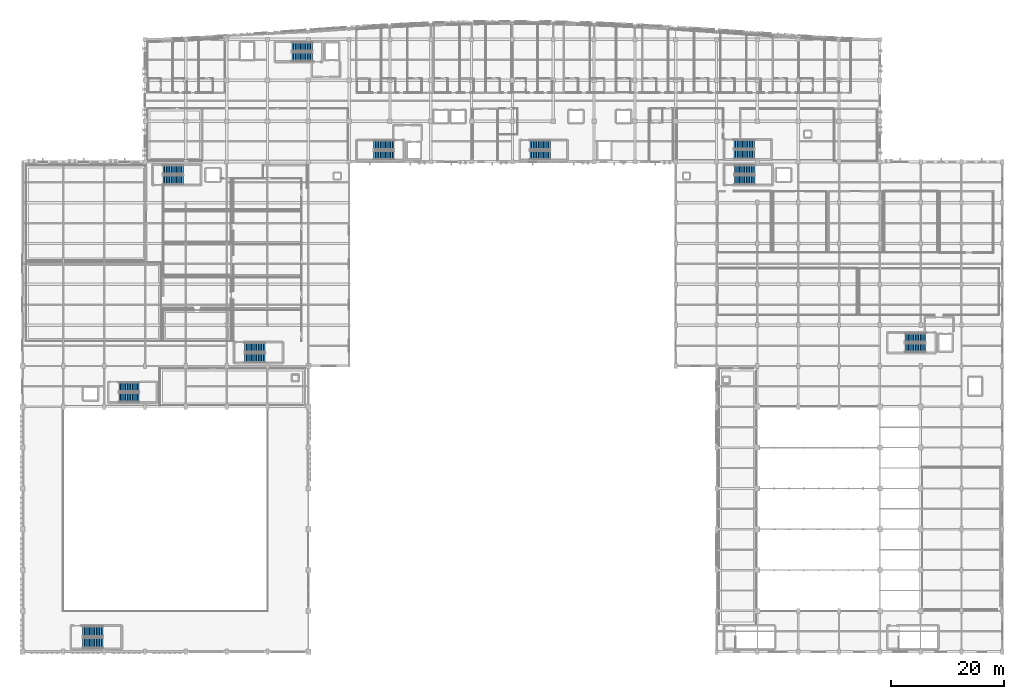
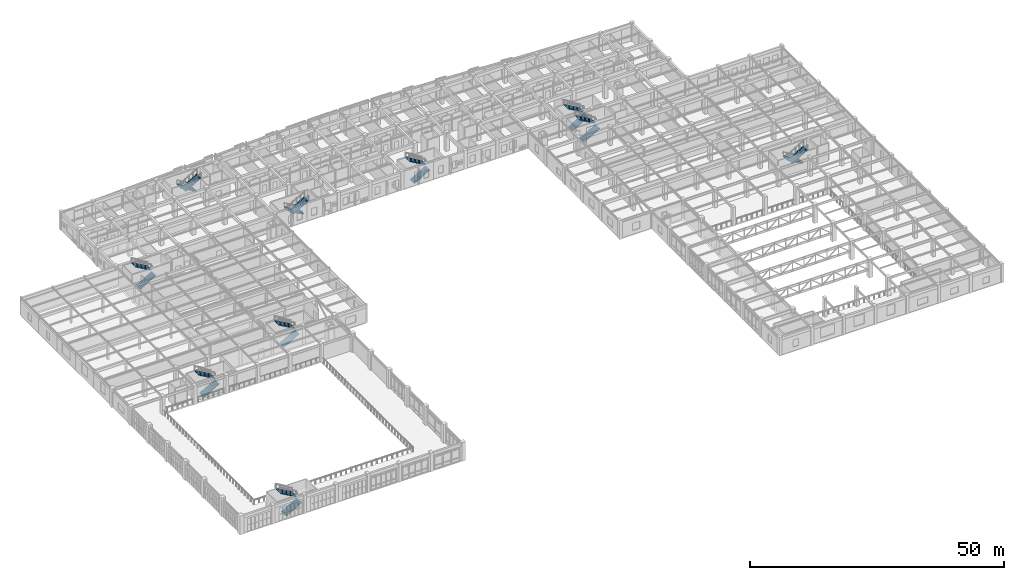
# One storey, part 90 of 106: 20 stair flights, 10 elements without a shape of their own.
"""IFC4 building model written with IfcOpenShell, lengths in metres."""

from ifc_helpers import new_model, si_unit, direction, frame, origin, place, context, subcontext, project, spatial, polyline, outline, extrude, material, type_object, element, aggregate, save


model = new_model("IFC4")

# Units and contexts
model_context = context("Model", 3, precision=1e-05, world=origin(), true_north=direction((0.0, 1.0)))
body_context = subcontext(model_context, "Body", "Model", "MODEL_VIEW")
ifc_project = project(units=[si_unit("LENGTHUNIT", "METRE"), si_unit("AREAUNIT", "SQUARE_METRE"), si_unit("VOLUMEUNIT", "CUBIC_METRE"), si_unit("PLANEANGLEUNIT", "RADIAN"), si_unit("MASSUNIT", "GRAM", prefix="KILO")], contexts=[model_context])

# Site, building, storey
site_placement = place(None, origin())
site = spatial("IfcSite", under=ifc_project, at=site_placement, CompositionType="ELEMENT")
building_placement = place(site_placement, origin())
building = spatial("IfcBuilding", under=site, at=building_placement, Name="Carrowvane Square Congress Hotel", CompositionType="ELEMENT")
storey_placement = place(building_placement, frame((0.0, 0.0, 10.5)))
storey = spatial("IfcBuildingStorey", under=building, at=storey_placement, Name="L02", CompositionType="ELEMENT", Elevation=10.5)

# Stair, stair flights
ifc_material_1 = material(Name="Concrete C35/45", Category="concrete")
stair_type_1 = type_object("IfcStairType", Name="STR-DOG-01", PredefinedType="HALF_TURN_STAIR", material=ifc_material_1)
stair_1_placement = place(storey_placement, origin())
stair_1 = element("IfcStair", 1, at=stair_1_placement, inside=storey, type_object=stair_type_1, Name="L02 Core C1 West Hotel Firefighting Stair", PredefinedType="HALF_TURN_STAIR")
ifc_material_2 = material(Name="Concrete C35/45", Category="concrete")
stair_flight_type_1 = type_object("IfcStairFlightType", Name="SFL-STR-01", PredefinedType="STRAIGHT", material=ifc_material_2)
stair_flight_1_placement = place(storey_placement, frame((62.719970703125, 112.110107421875, 0.0), z_axis=(0.0, 0.0, 1.0), x_axis=(-1.0, 0.0, 0.0)))
stair_flight_1 = element("IfcStairFlight", 2, at=stair_flight_1_placement, type_object=stair_flight_type_1, Name="ST1 flight 1", NumberOfRisers=13, NumberOfTreads=12, PredefinedType="STRAIGHT", RiserHeight=0.173076923, TreadLength=0.3, context=body_context, shape_type="SweptSolid", body=[
    extrude(outline(polyline([(0.0, 0.0), (0.0, 0.173095703125), (0.300048828125, 0.173095703125), (0.300048828125, 0.34619140625), (0.60009765625, 0.34619140625), (0.60009765625, 0.519287109375), (0.89990234375, 0.519287109375), (0.89990234375, 0.6923828125), (1.199951171875, 0.6923828125), (1.199951171875, 0.865478515625), (1.5, 0.865478515625), (1.5, 1.03857421875), (1.800048828125, 1.03857421875), (1.800048828125, 1.21142578125), (2.10009765625, 1.21142578125), (2.10009765625, 1.384521484375), (2.39990234375, 1.384521484375), (2.39990234375, 1.5576171875), (2.699951171875, 1.5576171875), (2.699951171875, 1.730712890625), (3.0, 1.730712890625), (3.0, 1.90380859375), (3.300048828125, 1.90380859375), (3.300048828125, 2.076904296875), (3.60009765625, 2.076904296875), (3.60009765625, 2.25), (3.60009765625, 1.90380859375), (0.300048828125, 0.0), (0.0, 0.0)])), frame((0.0, 0.7900390625, 0.0), z_axis=(0.0, -1.0, 0.0), x_axis=(1.0, 0.0, 0.0)), (0.0, 0.0, 1.0), 1.580078125),
])
stair_flight_2_placement = place(storey_placement, frame((59.1201171875, 110.330078125, 2.25), z_axis=(0.0, 0.0, 1.0), x_axis=(1.0, 0.0, 0.0)))
stair_flight_2 = element("IfcStairFlight", 3, at=stair_flight_2_placement, type_object=stair_flight_type_1, Name="ST1 flight 2", NumberOfRisers=13, NumberOfTreads=12, PredefinedType="STRAIGHT", RiserHeight=0.173076923, TreadLength=0.3, context=body_context, shape_type="SweptSolid", body=[
    extrude(outline(polyline([(0.0, 0.0), (0.0, 0.173095703125), (0.300048828125, 0.173095703125), (0.300048828125, 0.34619140625), (0.60009765625, 0.34619140625), (0.60009765625, 0.519287109375), (0.89990234375, 0.519287109375), (0.89990234375, 0.6923828125), (1.199951171875, 0.6923828125), (1.199951171875, 0.865478515625), (1.5, 0.865478515625), (1.5, 1.03857421875), (1.800048828125, 1.03857421875), (1.800048828125, 1.21142578125), (2.10009765625, 1.21142578125), (2.10009765625, 1.384521484375), (2.39990234375, 1.384521484375), (2.39990234375, 1.5576171875), (2.699951171875, 1.5576171875), (2.699951171875, 1.730712890625), (3.0, 1.730712890625), (3.0, 1.90380859375), (3.300048828125, 1.90380859375), (3.300048828125, 2.076904296875), (3.60009765625, 2.076904296875), (3.60009765625, 2.25), (3.60009765625, 1.90380859375), (0.300048828125, 0.0), (0.0, 0.0)])), frame((0.0, 0.7900390625, 0.0), z_axis=(0.0, -1.0, 0.0), x_axis=(1.0, 0.0, 0.0)), (0.0, 0.0, 1.0), 1.580078125),
])
aggregate(stair_1, [stair_flight_1, stair_flight_2])

stair_2_placement = place(storey_placement, origin())
stair_2 = element("IfcStair", 4, at=stair_2_placement, inside=storey, type_object=stair_type_1, Name="L02 Core C2 Central Hotel Firefighting Stair", PredefinedType="HALF_TURN_STAIR")
stair_flight_3_placement = place(storey_placement, frame((77.1201171875, 94.77001953125, 0.0), z_axis=(0.0, 0.0, 1.0), x_axis=(-1.0, 0.0, 0.0)))
stair_flight_3 = element("IfcStairFlight", 5, at=stair_flight_3_placement, type_object=stair_flight_type_1, Name="ST2 flight 1", NumberOfRisers=13, NumberOfTreads=12, PredefinedType="STRAIGHT", RiserHeight=0.173076923, TreadLength=0.3, context=body_context, shape_type="SweptSolid", body=[
    extrude(outline(polyline([(0.0, 0.0), (0.0, 0.173095703125), (0.300048828125, 0.173095703125), (0.300048828125, 0.34619140625), (0.60009765625, 0.34619140625), (0.60009765625, 0.519287109375), (0.89990234375, 0.519287109375), (0.89990234375, 0.6923828125), (1.199951171875, 0.6923828125), (1.199951171875, 0.865478515625), (1.5, 0.865478515625), (1.5, 1.03857421875), (1.800048828125, 1.03857421875), (1.800048828125, 1.21142578125), (2.10009765625, 1.21142578125), (2.10009765625, 1.384521484375), (2.39990234375, 1.384521484375), (2.39990234375, 1.5576171875), (2.699951171875, 1.5576171875), (2.699951171875, 1.730712890625), (3.0, 1.730712890625), (3.0, 1.90380859375), (3.300048828125, 1.90380859375), (3.300048828125, 2.076904296875), (3.60009765625, 2.076904296875), (3.60009765625, 2.25), (3.60009765625, 1.90380859375), (0.300048828125, 0.0), (0.0, 0.0)])), frame((0.0, 0.7900390625, 0.0), z_axis=(0.0, -1.0, 0.0), x_axis=(1.0, 0.0, 0.0)), (0.0, 0.0, 1.0), 1.580078125),
])
stair_flight_4_placement = place(storey_placement, frame((73.52001953125, 92.989990234375, 2.25), z_axis=(0.0, 0.0, 1.0), x_axis=(1.0, 0.0, 0.0)))
stair_flight_4 = element("IfcStairFlight", 6, at=stair_flight_4_placement, type_object=stair_flight_type_1, Name="ST2 flight 2", NumberOfRisers=13, NumberOfTreads=12, PredefinedType="STRAIGHT", RiserHeight=0.173076923, TreadLength=0.3, context=body_context, shape_type="SweptSolid", body=[
    extrude(outline(polyline([(0.0, 0.0), (0.0, 0.173095703125), (0.300048828125, 0.173095703125), (0.300048828125, 0.34619140625), (0.60009765625, 0.34619140625), (0.60009765625, 0.519287109375), (0.89990234375, 0.519287109375), (0.89990234375, 0.6923828125), (1.199951171875, 0.6923828125), (1.199951171875, 0.865478515625), (1.5, 0.865478515625), (1.5, 1.03857421875), (1.800048828125, 1.03857421875), (1.800048828125, 1.21142578125), (2.10009765625, 1.21142578125), (2.10009765625, 1.384521484375), (2.39990234375, 1.384521484375), (2.39990234375, 1.5576171875), (2.699951171875, 1.5576171875), (2.699951171875, 1.730712890625), (3.0, 1.730712890625), (3.0, 1.90380859375), (3.300048828125, 1.90380859375), (3.300048828125, 2.076904296875), (3.60009765625, 2.076904296875), (3.60009765625, 2.25), (3.60009765625, 1.90380859375), (0.300048828125, 0.0), (0.0, 0.0)])), frame((0.0, 0.7900390625, 0.0), z_axis=(0.0, -1.0, 0.0), x_axis=(1.0, 0.0, 0.0)), (0.0, 0.0, 1.0), 1.580078125),
])
aggregate(stair_2, [stair_flight_3, stair_flight_4])

stair_3_placement = place(storey_placement, origin())
stair_3 = element("IfcStair", 7, at=stair_3_placement, inside=storey, type_object=stair_type_1, Name="L02 Core C3 East Hotel Escape Stair", PredefinedType="HALF_TURN_STAIR")
stair_flight_5_placement = place(storey_placement, frame((101.080078125, 92.989990234375, 0.0), z_axis=(0.0, 0.0, 1.0), x_axis=(1.0, 0.0, 0.0)))
stair_flight_5 = element("IfcStairFlight", 8, at=stair_flight_5_placement, type_object=stair_flight_type_1, Name="ST3 flight 1", NumberOfRisers=13, NumberOfTreads=12, PredefinedType="STRAIGHT", RiserHeight=0.173076923, TreadLength=0.3, context=body_context, shape_type="SweptSolid", body=[
    extrude(outline(polyline([(0.0, 0.0), (0.0, 0.173095703125), (0.300048828125, 0.173095703125), (0.300048828125, 0.34619140625), (0.60009765625, 0.34619140625), (0.60009765625, 0.519287109375), (0.89990234375, 0.519287109375), (0.89990234375, 0.6923828125), (1.199951171875, 0.6923828125), (1.199951171875, 0.865478515625), (1.5, 0.865478515625), (1.5, 1.03857421875), (1.800048828125, 1.03857421875), (1.800048828125, 1.21142578125), (2.10009765625, 1.21142578125), (2.10009765625, 1.384521484375), (2.39990234375, 1.384521484375), (2.39990234375, 1.5576171875), (2.699951171875, 1.5576171875), (2.699951171875, 1.730712890625), (3.0, 1.730712890625), (3.0, 1.90380859375), (3.300048828125, 1.90380859375), (3.300048828125, 2.076904296875), (3.60009765625, 2.076904296875), (3.60009765625, 2.25), (3.60009765625, 1.90380859375), (0.300048828125, 0.0), (0.0, 0.0)])), frame((0.0, 0.7900390625, 0.0), z_axis=(0.0, -1.0, 0.0), x_axis=(1.0, 0.0, 0.0)), (0.0, 0.0, 1.0), 1.580078125),
])
stair_flight_6_placement = place(storey_placement, frame((104.679931640625, 94.77001953125, 2.25), z_axis=(0.0, 0.0, 1.0), x_axis=(-1.0, 0.0, 0.0)))
stair_flight_6 = element("IfcStairFlight", 9, at=stair_flight_6_placement, type_object=stair_flight_type_1, Name="ST3 flight 2", NumberOfRisers=13, NumberOfTreads=12, PredefinedType="STRAIGHT", RiserHeight=0.173076923, TreadLength=0.3, context=body_context, shape_type="SweptSolid", body=[
    extrude(outline(polyline([(0.0, 0.0), (0.0, 0.173095703125), (0.300048828125, 0.173095703125), (0.300048828125, 0.34619140625), (0.60009765625, 0.34619140625), (0.60009765625, 0.519287109375), (0.89990234375, 0.519287109375), (0.89990234375, 0.6923828125), (1.199951171875, 0.6923828125), (1.199951171875, 0.865478515625), (1.5, 0.865478515625), (1.5, 1.03857421875), (1.800048828125, 1.03857421875), (1.800048828125, 1.21142578125), (2.10009765625, 1.21142578125), (2.10009765625, 1.384521484375), (2.39990234375, 1.384521484375), (2.39990234375, 1.5576171875), (2.699951171875, 1.5576171875), (2.699951171875, 1.730712890625), (3.0, 1.730712890625), (3.0, 1.90380859375), (3.300048828125, 1.90380859375), (3.300048828125, 2.076904296875), (3.60009765625, 2.076904296875), (3.60009765625, 2.25), (3.60009765625, 1.90380859375), (0.300048828125, 0.0), (0.0, 0.0)])), frame((0.0, 0.7900390625, 0.0), z_axis=(0.0, -1.0, 0.0), x_axis=(1.0, 0.0, 0.0)), (0.0, 0.0, 1.0), 1.580078125),
])
aggregate(stair_3, [stair_flight_5, stair_flight_6])

stair_4_placement = place(storey_placement, origin())
stair_4 = element("IfcStair", 10, at=stair_4_placement, inside=storey, type_object=stair_type_1, Name="L02 East Hotel Wing Escape Stair", PredefinedType="HALF_TURN_STAIR")
stair_flight_7_placement = place(storey_placement, frame((137.080078125, 93.090087890625, 0.0), z_axis=(0.0, 0.0, 1.0), x_axis=(1.0, 0.0, 0.0)))
stair_flight_7 = element("IfcStairFlight", 11, at=stair_flight_7_placement, type_object=stair_flight_type_1, Name="ST12 flight 1", NumberOfRisers=13, NumberOfTreads=12, PredefinedType="STRAIGHT", RiserHeight=0.173076923, TreadLength=0.3, context=body_context, shape_type="SweptSolid", body=[
    extrude(outline(polyline([(0.0, 0.0), (0.0, 0.173095703125), (0.300048828125, 0.173095703125), (0.300048828125, 0.34619140625), (0.60009765625, 0.34619140625), (0.60009765625, 0.519287109375), (0.89990234375, 0.519287109375), (0.89990234375, 0.6923828125), (1.199951171875, 0.6923828125), (1.199951171875, 0.865478515625), (1.5, 0.865478515625), (1.5, 1.03857421875), (1.800048828125, 1.03857421875), (1.800048828125, 1.21142578125), (2.10009765625, 1.21142578125), (2.10009765625, 1.384521484375), (2.39990234375, 1.384521484375), (2.39990234375, 1.5576171875), (2.699951171875, 1.5576171875), (2.699951171875, 1.730712890625), (3.0, 1.730712890625), (3.0, 1.90380859375), (3.300048828125, 1.90380859375), (3.300048828125, 2.076904296875), (3.60009765625, 2.076904296875), (3.60009765625, 2.25), (3.60009765625, 1.90380859375), (0.300048828125, 0.0), (0.0, 0.0)])), frame((0.0, 0.7900390625, 0.0), z_axis=(0.0, -1.0, 0.0), x_axis=(1.0, 0.0, 0.0)), (0.0, 0.0, 1.0), 1.580078125),
])
stair_flight_8_placement = place(storey_placement, frame((140.679931640625, 94.8701171875, 2.25), z_axis=(0.0, 0.0, 1.0), x_axis=(-1.0, 0.0, 0.0)))
stair_flight_8 = element("IfcStairFlight", 12, at=stair_flight_8_placement, type_object=stair_flight_type_1, Name="ST12 flight 2", NumberOfRisers=13, NumberOfTreads=12, PredefinedType="STRAIGHT", RiserHeight=0.173076923, TreadLength=0.3, context=body_context, shape_type="SweptSolid", body=[
    extrude(outline(polyline([(0.0, 0.0), (0.0, 0.173095703125), (0.300048828125, 0.173095703125), (0.300048828125, 0.34619140625), (0.60009765625, 0.34619140625), (0.60009765625, 0.519287109375), (0.89990234375, 0.519287109375), (0.89990234375, 0.6923828125), (1.199951171875, 0.6923828125), (1.199951171875, 0.865478515625), (1.5, 0.865478515625), (1.5, 1.03857421875), (1.800048828125, 1.03857421875), (1.800048828125, 1.21142578125), (2.10009765625, 1.21142578125), (2.10009765625, 1.384521484375), (2.39990234375, 1.384521484375), (2.39990234375, 1.5576171875), (2.699951171875, 1.5576171875), (2.699951171875, 1.730712890625), (3.0, 1.730712890625), (3.0, 1.90380859375), (3.300048828125, 1.90380859375), (3.300048828125, 2.076904296875), (3.60009765625, 2.076904296875), (3.60009765625, 2.25), (3.60009765625, 1.90380859375), (0.300048828125, 0.0), (0.0, 0.0)])), frame((0.0, 0.7900390625, 0.0), z_axis=(0.0, -1.0, 0.0), x_axis=(1.0, 0.0, 0.0)), (0.0, 0.0, 1.0), 1.580078125),
])
aggregate(stair_4, [stair_flight_7, stair_flight_8])

ifc_material_3 = material(Name="Concrete C35/45", Category="concrete")
stair_type_2 = type_object("IfcStairType", Name="STR-DOG-05", PredefinedType="HALF_TURN_STAIR", material=ifc_material_3)
stair_5_placement = place(storey_placement, origin())
stair_5 = element("IfcStair", 13, at=stair_5_placement, inside=storey, type_object=stair_type_2, Name="L02 Core C4 East Congress Firefighting Stair", PredefinedType="HALF_TURN_STAIR")
ifc_material_4 = material(Name="Concrete C35/45", Category="concrete")
stair_flight_type_2 = type_object("IfcStairFlightType", Name="SFL-STR-05", PredefinedType="STRAIGHT", material=ifc_material_4)
stair_flight_9_placement = place(storey_placement, frame((170.85009765625, 60.800048828125, 0.0), z_axis=(0.0, 0.0, 1.0), x_axis=(-1.0, 0.0, 0.0)))
stair_flight_9 = element("IfcStairFlight", 14, at=stair_flight_9_placement, type_object=stair_flight_type_2, Name="ST4 flight 1", NumberOfRisers=13, NumberOfTreads=12, PredefinedType="STRAIGHT", RiserHeight=0.173076923, TreadLength=0.3, context=body_context, shape_type="SweptSolid", body=[
    extrude(outline(polyline([(0.0, 0.0), (0.0, 0.173095703125), (0.300048828125, 0.173095703125), (0.300048828125, 0.34619140625), (0.60009765625, 0.34619140625), (0.60009765625, 0.519287109375), (0.89990234375, 0.519287109375), (0.89990234375, 0.6923828125), (1.199951171875, 0.6923828125), (1.199951171875, 0.865478515625), (1.5, 0.865478515625), (1.5, 1.03857421875), (1.800048828125, 1.03857421875), (1.800048828125, 1.21142578125), (2.10009765625, 1.21142578125), (2.10009765625, 1.384521484375), (2.39990234375, 1.384521484375), (2.39990234375, 1.5576171875), (2.699951171875, 1.5576171875), (2.699951171875, 1.730712890625), (3.0, 1.730712890625), (3.0, 1.90380859375), (3.300048828125, 1.90380859375), (3.300048828125, 2.076904296875), (3.60009765625, 2.076904296875), (3.60009765625, 2.25), (3.60009765625, 1.90380859375), (0.300048828125, 0.0), (0.0, 0.0)])), frame((0.0, 0.800048828125, 0.0), z_axis=(0.0, -1.0, 0.0), x_axis=(1.0, 0.0, 0.0)), (0.0, 0.0, 1.0), 1.60009765625),
])
stair_flight_10_placement = place(storey_placement, frame((167.25, 59.0, 2.25), z_axis=(0.0, 0.0, 1.0), x_axis=(1.0, 0.0, 0.0)))
stair_flight_10 = element("IfcStairFlight", 15, at=stair_flight_10_placement, type_object=stair_flight_type_2, Name="ST4 flight 2", NumberOfRisers=13, NumberOfTreads=12, PredefinedType="STRAIGHT", RiserHeight=0.173076923, TreadLength=0.3, context=body_context, shape_type="SweptSolid", body=[
    extrude(outline(polyline([(0.0, 0.0), (0.0, 0.173095703125), (0.300048828125, 0.173095703125), (0.300048828125, 0.34619140625), (0.60009765625, 0.34619140625), (0.60009765625, 0.519287109375), (0.89990234375, 0.519287109375), (0.89990234375, 0.6923828125), (1.199951171875, 0.6923828125), (1.199951171875, 0.865478515625), (1.5, 0.865478515625), (1.5, 1.03857421875), (1.800048828125, 1.03857421875), (1.800048828125, 1.21142578125), (2.10009765625, 1.21142578125), (2.10009765625, 1.384521484375), (2.39990234375, 1.384521484375), (2.39990234375, 1.5576171875), (2.699951171875, 1.5576171875), (2.699951171875, 1.730712890625), (3.0, 1.730712890625), (3.0, 1.90380859375), (3.300048828125, 1.90380859375), (3.300048828125, 2.076904296875), (3.60009765625, 2.076904296875), (3.60009765625, 2.25), (3.60009765625, 1.90380859375), (0.300048828125, 0.0), (0.0, 0.0)])), frame((0.0, 0.800048828125, 0.0), z_axis=(0.0, -1.0, 0.0), x_axis=(1.0, 0.0, 0.0)), (0.0, 0.0, 1.0), 1.60009765625),
])
aggregate(stair_5, [stair_flight_9, stair_flight_10])

stair_6_placement = place(storey_placement, origin())
stair_6 = element("IfcStair", 16, at=stair_6_placement, inside=storey, type_object=stair_type_2, Name="L02 Core C5 West Spa Escape Stair", PredefinedType="HALF_TURN_STAIR")
stair_flight_11_placement = place(storey_placement, frame((36.35009765625, 88.60009765625, 0.0), z_axis=(0.0, 0.0, 1.0), x_axis=(1.0, 0.0, 0.0)))
stair_flight_11 = element("IfcStairFlight", 17, at=stair_flight_11_placement, type_object=stair_flight_type_2, Name="ST5 flight 1", NumberOfRisers=13, NumberOfTreads=12, PredefinedType="STRAIGHT", RiserHeight=0.173076923, TreadLength=0.3, context=body_context, shape_type="SweptSolid", body=[
    extrude(outline(polyline([(0.0, 0.0), (0.0, 0.173095703125), (0.300048828125, 0.173095703125), (0.300048828125, 0.34619140625), (0.60009765625, 0.34619140625), (0.60009765625, 0.519287109375), (0.89990234375, 0.519287109375), (0.89990234375, 0.6923828125), (1.199951171875, 0.6923828125), (1.199951171875, 0.865478515625), (1.5, 0.865478515625), (1.5, 1.03857421875), (1.800048828125, 1.03857421875), (1.800048828125, 1.21142578125), (2.10009765625, 1.21142578125), (2.10009765625, 1.384521484375), (2.39990234375, 1.384521484375), (2.39990234375, 1.5576171875), (2.699951171875, 1.5576171875), (2.699951171875, 1.730712890625), (3.0, 1.730712890625), (3.0, 1.90380859375), (3.300048828125, 1.90380859375), (3.300048828125, 2.076904296875), (3.60009765625, 2.076904296875), (3.60009765625, 2.25), (3.60009765625, 1.90380859375), (0.300048828125, 0.0), (0.0, 0.0)])), frame((0.0, 0.800048828125, 0.0), z_axis=(0.0, -1.0, 0.0), x_axis=(1.0, 0.0, 0.0)), (0.0, 0.0, 1.0), 1.60009765625),
])
stair_flight_12_placement = place(storey_placement, frame((39.949951171875, 90.39990234375, 2.25), z_axis=(0.0, 0.0, 1.0), x_axis=(-1.0, 0.0, 0.0)))
stair_flight_12 = element("IfcStairFlight", 18, at=stair_flight_12_placement, type_object=stair_flight_type_2, Name="ST5 flight 2", NumberOfRisers=13, NumberOfTreads=12, PredefinedType="STRAIGHT", RiserHeight=0.173076923, TreadLength=0.3, context=body_context, shape_type="SweptSolid", body=[
    extrude(outline(polyline([(0.0, 0.0), (0.0, 0.173095703125), (0.300048828125, 0.173095703125), (0.300048828125, 0.34619140625), (0.60009765625, 0.34619140625), (0.60009765625, 0.519287109375), (0.89990234375, 0.519287109375), (0.89990234375, 0.6923828125), (1.199951171875, 0.6923828125), (1.199951171875, 0.865478515625), (1.5, 0.865478515625), (1.5, 1.03857421875), (1.800048828125, 1.03857421875), (1.800048828125, 1.21142578125), (2.10009765625, 1.21142578125), (2.10009765625, 1.384521484375), (2.39990234375, 1.384521484375), (2.39990234375, 1.5576171875), (2.699951171875, 1.5576171875), (2.699951171875, 1.730712890625), (3.0, 1.730712890625), (3.0, 1.90380859375), (3.300048828125, 1.90380859375), (3.300048828125, 2.076904296875), (3.60009765625, 2.076904296875), (3.60009765625, 2.25), (3.60009765625, 1.90380859375), (0.300048828125, 0.0), (0.0, 0.0)])), frame((0.0, 0.800048828125, 0.0), z_axis=(0.0, -1.0, 0.0), x_axis=(1.0, 0.0, 0.0)), (0.0, 0.0, 1.0), 1.60009765625),
])
aggregate(stair_6, [stair_flight_11, stair_flight_12])

stair_7_placement = place(storey_placement, origin())
stair_7 = element("IfcStair", 19, at=stair_7_placement, inside=storey, type_object=stair_type_2, Name="L02 Meeting Wing Escape Stair", PredefinedType="HALF_TURN_STAIR")
stair_flight_13_placement = place(storey_placement, frame((137.14990234375, 88.60009765625, 0.0), z_axis=(0.0, 0.0, 1.0), x_axis=(1.0, 0.0, 0.0)))
stair_flight_13 = element("IfcStairFlight", 20, at=stair_flight_13_placement, type_object=stair_flight_type_2, Name="ST8 flight 1", NumberOfRisers=13, NumberOfTreads=12, PredefinedType="STRAIGHT", RiserHeight=0.173076923, TreadLength=0.3, context=body_context, shape_type="SweptSolid", body=[
    extrude(outline(polyline([(0.0, 0.0), (0.0, 0.173095703125), (0.300048828125, 0.173095703125), (0.300048828125, 0.34619140625), (0.60009765625, 0.34619140625), (0.60009765625, 0.519287109375), (0.89990234375, 0.519287109375), (0.89990234375, 0.6923828125), (1.199951171875, 0.6923828125), (1.199951171875, 0.865478515625), (1.5, 0.865478515625), (1.5, 1.03857421875), (1.800048828125, 1.03857421875), (1.800048828125, 1.21142578125), (2.10009765625, 1.21142578125), (2.10009765625, 1.384521484375), (2.39990234375, 1.384521484375), (2.39990234375, 1.5576171875), (2.699951171875, 1.5576171875), (2.699951171875, 1.730712890625), (3.0, 1.730712890625), (3.0, 1.90380859375), (3.300048828125, 1.90380859375), (3.300048828125, 2.076904296875), (3.60009765625, 2.076904296875), (3.60009765625, 2.25), (3.60009765625, 1.90380859375), (0.300048828125, 0.0), (0.0, 0.0)])), frame((0.0, 0.800048828125, 0.0), z_axis=(0.0, -1.0, 0.0), x_axis=(1.0, 0.0, 0.0)), (0.0, 0.0, 1.0), 1.60009765625),
])
stair_flight_14_placement = place(storey_placement, frame((140.75, 90.39990234375, 2.25), z_axis=(0.0, 0.0, 1.0), x_axis=(-1.0, 0.0, 0.0)))
stair_flight_14 = element("IfcStairFlight", 21, at=stair_flight_14_placement, type_object=stair_flight_type_2, Name="ST8 flight 2", NumberOfRisers=13, NumberOfTreads=12, PredefinedType="STRAIGHT", RiserHeight=0.173076923, TreadLength=0.3, context=body_context, shape_type="SweptSolid", body=[
    extrude(outline(polyline([(0.0, 0.0), (0.0, 0.173095703125), (0.300048828125, 0.173095703125), (0.300048828125, 0.34619140625), (0.60009765625, 0.34619140625), (0.60009765625, 0.519287109375), (0.89990234375, 0.519287109375), (0.89990234375, 0.6923828125), (1.199951171875, 0.6923828125), (1.199951171875, 0.865478515625), (1.5, 0.865478515625), (1.5, 1.03857421875), (1.800048828125, 1.03857421875), (1.800048828125, 1.21142578125), (2.10009765625, 1.21142578125), (2.10009765625, 1.384521484375), (2.39990234375, 1.384521484375), (2.39990234375, 1.5576171875), (2.699951171875, 1.5576171875), (2.699951171875, 1.730712890625), (3.0, 1.730712890625), (3.0, 1.90380859375), (3.300048828125, 1.90380859375), (3.300048828125, 2.076904296875), (3.60009765625, 2.076904296875), (3.60009765625, 2.25), (3.60009765625, 1.90380859375), (0.300048828125, 0.0), (0.0, 0.0)])), frame((0.0, 0.800048828125, 0.0), z_axis=(0.0, -1.0, 0.0), x_axis=(1.0, 0.0, 0.0)), (0.0, 0.0, 1.0), 1.60009765625),
])
aggregate(stair_7, [stair_flight_13, stair_flight_14])

ifc_material_5 = material(Name="Concrete C35/45", Category="concrete")
stair_type_3 = type_object("IfcStairType", Name="STR-DOG-11", PredefinedType="HALF_TURN_STAIR", material=ifc_material_5)
stair_8_placement = place(storey_placement, origin())
stair_8 = element("IfcStair", 22, at=stair_8_placement, inside=storey, type_object=stair_type_3, Name="L02 Plenary North-West Escape Stair", PredefinedType="HALF_TURN_STAIR")
ifc_material_6 = material(Name="Concrete C35/45", Category="concrete")
stair_flight_type_3 = type_object("IfcStairFlightType", Name="SFL-STR-11", PredefinedType="STRAIGHT", material=ifc_material_6)
stair_flight_15_placement = place(storey_placement, frame((28.580078125, 50.22998046875, 0.0), z_axis=(0.0, 0.0, 1.0), x_axis=(1.0, 0.0, 0.0)))
stair_flight_15 = element("IfcStairFlight", 23, at=stair_flight_15_placement, type_object=stair_flight_type_3, Name="ST6 flight 1", NumberOfRisers=13, NumberOfTreads=12, PredefinedType="STRAIGHT", RiserHeight=0.173076923, TreadLength=0.3, context=body_context, shape_type="SweptSolid", body=[
    extrude(outline(polyline([(0.0, 0.0), (0.0, 0.173095703125), (0.300048828125, 0.173095703125), (0.300048828125, 0.34619140625), (0.60009765625, 0.34619140625), (0.60009765625, 0.519287109375), (0.89990234375, 0.519287109375), (0.89990234375, 0.6923828125), (1.199951171875, 0.6923828125), (1.199951171875, 0.865478515625), (1.5, 0.865478515625), (1.5, 1.03857421875), (1.800048828125, 1.03857421875), (1.800048828125, 1.21142578125), (2.10009765625, 1.21142578125), (2.10009765625, 1.384521484375), (2.39990234375, 1.384521484375), (2.39990234375, 1.5576171875), (2.699951171875, 1.5576171875), (2.699951171875, 1.730712890625), (3.0, 1.730712890625), (3.0, 1.90380859375), (3.300048828125, 1.90380859375), (3.300048828125, 2.076904296875), (3.60009765625, 2.076904296875), (3.60009765625, 2.25), (3.60009765625, 1.90380859375), (0.300048828125, 0.0), (0.0, 0.0)])), frame((0.0, 0.830078125, 0.0), z_axis=(0.0, -1.0, 0.0), x_axis=(1.0, 0.0, 0.0)), (0.0, 0.0, 1.0), 1.659912109375),
])
stair_flight_16_placement = place(storey_placement, frame((32.179931640625, 52.090087890625, 2.25), z_axis=(0.0, 0.0, 1.0), x_axis=(-1.0, 0.0, 0.0)))
stair_flight_16 = element("IfcStairFlight", 24, at=stair_flight_16_placement, type_object=stair_flight_type_3, Name="ST6 flight 2", NumberOfRisers=13, NumberOfTreads=12, PredefinedType="STRAIGHT", RiserHeight=0.173076923, TreadLength=0.3, context=body_context, shape_type="SweptSolid", body=[
    extrude(outline(polyline([(0.0, 0.0), (0.0, 0.173095703125), (0.300048828125, 0.173095703125), (0.300048828125, 0.34619140625), (0.60009765625, 0.34619140625), (0.60009765625, 0.519287109375), (0.89990234375, 0.519287109375), (0.89990234375, 0.6923828125), (1.199951171875, 0.6923828125), (1.199951171875, 0.865478515625), (1.5, 0.865478515625), (1.5, 1.03857421875), (1.800048828125, 1.03857421875), (1.800048828125, 1.21142578125), (2.10009765625, 1.21142578125), (2.10009765625, 1.384521484375), (2.39990234375, 1.384521484375), (2.39990234375, 1.5576171875), (2.699951171875, 1.5576171875), (2.699951171875, 1.730712890625), (3.0, 1.730712890625), (3.0, 1.90380859375), (3.300048828125, 1.90380859375), (3.300048828125, 2.076904296875), (3.60009765625, 2.076904296875), (3.60009765625, 2.25), (3.60009765625, 1.90380859375), (0.300048828125, 0.0), (0.0, 0.0)])), frame((0.0, 0.830078125, 0.0), z_axis=(0.0, -1.0, 0.0), x_axis=(1.0, 0.0, 0.0)), (0.0, 0.0, 1.0), 1.659912109375),
])
aggregate(stair_8, [stair_flight_15, stair_flight_16])

stair_9_placement = place(storey_placement, origin())
stair_9 = element("IfcStair", 25, at=stair_9_placement, inside=storey, type_object=stair_type_3, Name="L02 Spa Courtyard Escape Stair", PredefinedType="HALF_TURN_STAIR")
stair_flight_17_placement = place(storey_placement, frame((50.780029296875, 57.22998046875, 0.0), z_axis=(0.0, 0.0, 1.0), x_axis=(1.0, 0.0, 0.0)))
stair_flight_17 = element("IfcStairFlight", 26, at=stair_flight_17_placement, type_object=stair_flight_type_3, Name="ST7 flight 1", NumberOfRisers=13, NumberOfTreads=12, PredefinedType="STRAIGHT", RiserHeight=0.173076923, TreadLength=0.3, context=body_context, shape_type="SweptSolid", body=[
    extrude(outline(polyline([(0.0, 0.0), (0.0, 0.173095703125), (0.300048828125, 0.173095703125), (0.300048828125, 0.34619140625), (0.60009765625, 0.34619140625), (0.60009765625, 0.519287109375), (0.89990234375, 0.519287109375), (0.89990234375, 0.6923828125), (1.199951171875, 0.6923828125), (1.199951171875, 0.865478515625), (1.5, 0.865478515625), (1.5, 1.03857421875), (1.800048828125, 1.03857421875), (1.800048828125, 1.21142578125), (2.10009765625, 1.21142578125), (2.10009765625, 1.384521484375), (2.39990234375, 1.384521484375), (2.39990234375, 1.5576171875), (2.699951171875, 1.5576171875), (2.699951171875, 1.730712890625), (3.0, 1.730712890625), (3.0, 1.90380859375), (3.300048828125, 1.90380859375), (3.300048828125, 2.076904296875), (3.60009765625, 2.076904296875), (3.60009765625, 2.25), (3.60009765625, 1.90380859375), (0.300048828125, 0.0), (0.0, 0.0)])), frame((0.0, 0.830078125, 0.0), z_axis=(0.0, -1.0, 0.0), x_axis=(1.0, 0.0, 0.0)), (0.0, 0.0, 1.0), 1.659912109375),
])
stair_flight_18_placement = place(storey_placement, frame((54.3798828125, 59.090087890625, 2.25), z_axis=(0.0, 0.0, 1.0), x_axis=(-1.0, 0.0, 0.0)))
stair_flight_18 = element("IfcStairFlight", 27, at=stair_flight_18_placement, type_object=stair_flight_type_3, Name="ST7 flight 2", NumberOfRisers=13, NumberOfTreads=12, PredefinedType="STRAIGHT", RiserHeight=0.173076923, TreadLength=0.3, context=body_context, shape_type="SweptSolid", body=[
    extrude(outline(polyline([(0.0, 0.0), (0.0, 0.173095703125), (0.300048828125, 0.173095703125), (0.300048828125, 0.34619140625), (0.60009765625, 0.34619140625), (0.60009765625, 0.519287109375), (0.89990234375, 0.519287109375), (0.89990234375, 0.6923828125), (1.199951171875, 0.6923828125), (1.199951171875, 0.865478515625), (1.5, 0.865478515625), (1.5, 1.03857421875), (1.800048828125, 1.03857421875), (1.800048828125, 1.21142578125), (2.10009765625, 1.21142578125), (2.10009765625, 1.384521484375), (2.39990234375, 1.384521484375), (2.39990234375, 1.5576171875), (2.699951171875, 1.5576171875), (2.699951171875, 1.730712890625), (3.0, 1.730712890625), (3.0, 1.90380859375), (3.300048828125, 1.90380859375), (3.300048828125, 2.076904296875), (3.60009765625, 2.076904296875), (3.60009765625, 2.25), (3.60009765625, 1.90380859375), (0.300048828125, 0.0), (0.0, 0.0)])), frame((0.0, 0.830078125, 0.0), z_axis=(0.0, -1.0, 0.0), x_axis=(1.0, 0.0, 0.0)), (0.0, 0.0, 1.0), 1.659912109375),
])
aggregate(stair_9, [stair_flight_17, stair_flight_18])

ifc_material_7 = material(Name="Concrete C35/45", Category="concrete")
stair_type_4 = type_object("IfcStairType", Name="STR-DOG-14", PredefinedType="HALF_TURN_STAIR", material=ifc_material_7)
stair_10_placement = place(storey_placement, origin())
stair_10 = element("IfcStair", 28, at=stair_10_placement, inside=storey, type_object=stair_type_4, Name="L02 Plenary South Assembly Stair", PredefinedType="HALF_TURN_STAIR")
ifc_material_8 = material(Name="Concrete C35/45", Category="concrete")
stair_flight_type_4 = type_object("IfcStairFlightType", Name="SFL-STR-14", PredefinedType="STRAIGHT", material=ifc_material_8)
stair_flight_19_placement = place(storey_placement, frame((22.199951171875, 6.925048828125, 0.0), z_axis=(0.0, 0.0, 1.0), x_axis=(1.0, 0.0, 0.0)))
stair_flight_19 = element("IfcStairFlight", 29, at=stair_flight_19_placement, type_object=stair_flight_type_4, Name="ST9 flight 1", NumberOfRisers=13, NumberOfTreads=12, PredefinedType="STRAIGHT", RiserHeight=0.173076923, TreadLength=0.3, context=body_context, shape_type="SweptSolid", body=[
    extrude(outline(polyline([(0.0, 0.0), (0.0, 0.173095703125), (0.300048828125, 0.173095703125), (0.300048828125, 0.34619140625), (0.60009765625, 0.34619140625), (0.60009765625, 0.519287109375), (0.89990234375, 0.519287109375), (0.89990234375, 0.6923828125), (1.199951171875, 0.6923828125), (1.199951171875, 0.865478515625), (1.5, 0.865478515625), (1.5, 1.03857421875), (1.800048828125, 1.03857421875), (1.800048828125, 1.21142578125), (2.10009765625, 1.21142578125), (2.10009765625, 1.384521484375), (2.39990234375, 1.384521484375), (2.39990234375, 1.5576171875), (2.699951171875, 1.5576171875), (2.699951171875, 1.730712890625), (3.0, 1.730712890625), (3.0, 1.90380859375), (3.300048828125, 1.90380859375), (3.300048828125, 2.076904296875), (3.60009765625, 2.076904296875), (3.60009765625, 2.25), (3.60009765625, 1.90380859375), (0.300048828125, 0.0), (0.0, 0.0)])), frame((0.0, 0.925048828125, 0.0), z_axis=(0.0, -1.0, 0.0), x_axis=(1.0, 0.0, 0.0)), (0.0, 0.0, 1.0), 1.85009765625),
])
stair_flight_20_placement = place(storey_placement, frame((25.800048828125, 8.97509765625, 2.25), z_axis=(0.0, 0.0, 1.0), x_axis=(-1.0, 0.0, 0.0)))
stair_flight_20 = element("IfcStairFlight", 30, at=stair_flight_20_placement, type_object=stair_flight_type_4, Name="ST9 flight 2", NumberOfRisers=13, NumberOfTreads=12, PredefinedType="STRAIGHT", RiserHeight=0.173076923, TreadLength=0.3, context=body_context, shape_type="SweptSolid", body=[
    extrude(outline(polyline([(0.0, 0.0), (0.0, 0.173095703125), (0.300048828125, 0.173095703125), (0.300048828125, 0.34619140625), (0.60009765625, 0.34619140625), (0.60009765625, 0.519287109375), (0.89990234375, 0.519287109375), (0.89990234375, 0.6923828125), (1.199951171875, 0.6923828125), (1.199951171875, 0.865478515625), (1.5, 0.865478515625), (1.5, 1.03857421875), (1.800048828125, 1.03857421875), (1.800048828125, 1.21142578125), (2.10009765625, 1.21142578125), (2.10009765625, 1.384521484375), (2.39990234375, 1.384521484375), (2.39990234375, 1.5576171875), (2.699951171875, 1.5576171875), (2.699951171875, 1.730712890625), (3.0, 1.730712890625), (3.0, 1.90380859375), (3.300048828125, 1.90380859375), (3.300048828125, 2.076904296875), (3.60009765625, 2.076904296875), (3.60009765625, 2.25), (3.60009765625, 1.90380859375), (0.300048828125, 0.0), (0.0, 0.0)])), frame((0.0, 0.925048828125, 0.0), z_axis=(0.0, -1.0, 0.0), x_axis=(1.0, 0.0, 0.0)), (0.0, 0.0, 1.0), 1.85009765625),
])
aggregate(stair_10, [stair_flight_19, stair_flight_20])

save(model, "model.ifc")
